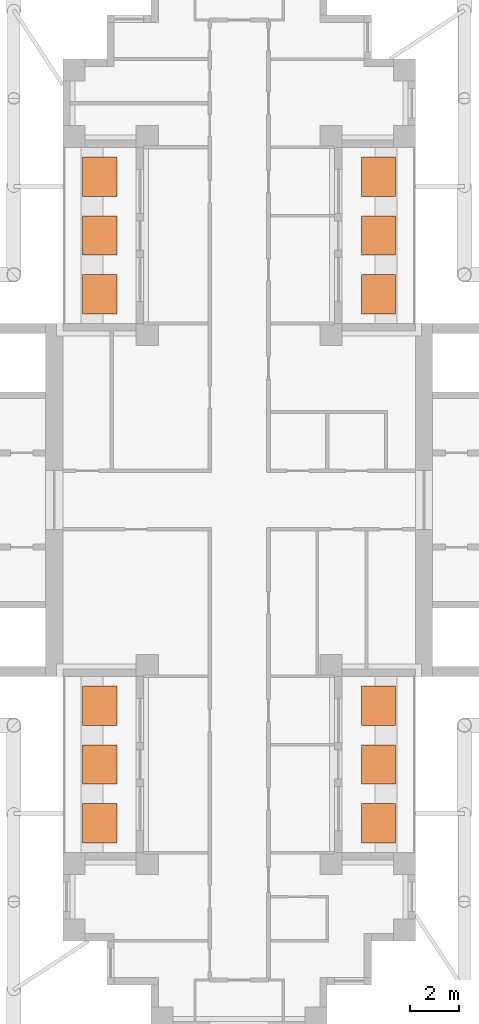
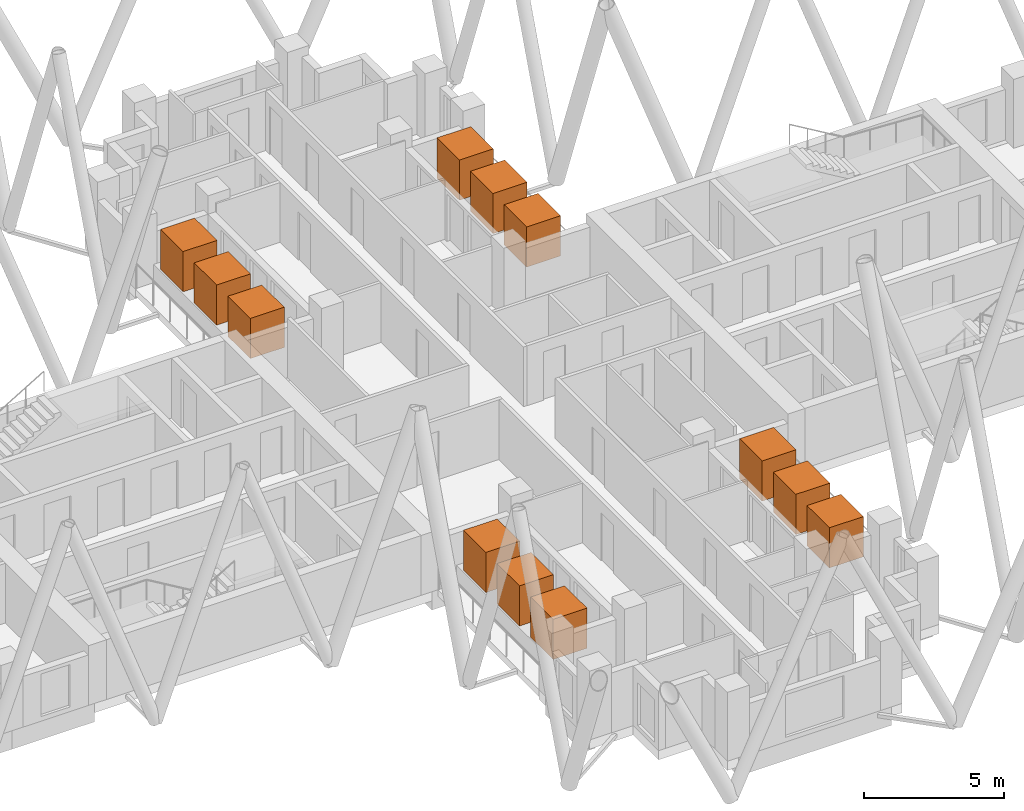
# One storey, part 12 of 12: 12 geographic elements.
"""IFC4 building model written with IfcOpenShell, lengths in metres."""

from ifc_helpers import new_model, si_unit, direction, frame, origin, origin_2d, place, context, subcontext, project, spatial, rectangle, extrude, material, element, save


model = new_model("IFC4")

# Units and contexts
model_context = context("Model", 3, precision=1e-05, world=origin(), true_north=direction((0.0, 1.0)))
body_context = subcontext(model_context, "Body", "Model", "MODEL_VIEW")
ifc_project = project(units=[si_unit("LENGTHUNIT", "METRE"), si_unit("AREAUNIT", "SQUARE_METRE"), si_unit("VOLUMEUNIT", "CUBIC_METRE"), si_unit("PLANEANGLEUNIT", "RADIAN"), si_unit("MASSUNIT", "GRAM", prefix="KILO")], contexts=[model_context])

# Site, building, storey
site_placement = place(None, origin())
site = spatial("IfcSite", under=ifc_project, at=site_placement, CompositionType="ELEMENT")
building_placement = place(site_placement, origin())
building = spatial("IfcBuilding", under=site, at=building_placement, Name="Fustian Cross Tower", CompositionType="ELEMENT")
storey_placement = place(building_placement, frame((0.0, 0.0, 188.699951171875)))
storey = spatial("IfcBuildingStorey", under=building, at=storey_placement, Name="L59", CompositionType="ELEMENT", Elevation=188.699951171875)

# Geographic elements
ifc_material = material(Name="Evergreen foliage")
for number, where, z_axis, x_axis, name in (
    (1, (5.68994140625, 8.39990234375, 0.800048828125), (0.0, 0.0, 1.0), (1.0, 0.0, 0.0), "TREE field maple"),
    (2, (5.68994140625, 10.800048828125, 0.800048828125), (0.0, 0.0, 1.0), (1.0, 0.0, 0.0), "TREE field maple"),
    (3, (5.68994140625, 13.199951171875, 0.800048828125), (0.0, 0.0, 1.0), (1.0, 0.0, 0.0), "TREE field maple"),
    (4, (-5.68994140625, 8.39990234375, 0.800048828125), (0.0, 0.0, 1.0), (1.0, 0.0, 0.0), "TREE field maple"),
    (5, (-5.68994140625, 10.800048828125, 0.800048828125), (0.0, 0.0, 1.0), (1.0, 0.0, 0.0), "TREE field maple"),
    (6, (-5.68994140625, 13.199951171875, 0.800048828125), (0.0, 0.0, 1.0), (1.0, 0.0, 0.0), "TREE field maple"),
    (7, (5.68994140625, -13.199951171875, 0.800048828125), (0.0, 0.0, 1.0), (1.0, 0.0, 0.0), "TREE field maple"),
    (8, (5.68994140625, -10.800048828125, 0.800048828125), (0.0, 0.0, 1.0), (1.0, 0.0, 0.0), "TREE field maple"),
    (9, (5.68994140625, -8.39990234375, 0.800048828125), (0.0, 0.0, 1.0), (1.0, 0.0, 0.0), "TREE field maple"),
    (10, (-5.68994140625, -13.199951171875, 0.800048828125), (0.0, 0.0, 1.0), (1.0, 0.0, 0.0), "TREE field maple"),
    (11, (-5.68994140625, -10.800048828125, 0.800048828125), (0.0, 0.0, 1.0), (1.0, 0.0, 0.0), "TREE field maple"),
    (12, (-5.68994140625, -8.39990234375, 0.800048828125), (0.0, 0.0, 1.0), (1.0, 0.0, 0.0), "TREE field maple"),
):
    element("IfcGeographicElement", number, at=place(storey_placement, frame(where, z_axis=z_axis, x_axis=x_axis)), inside=storey, material=ifc_material, Name=name, ObjectType="VEGETATION", PredefinedType="USERDEFINED", context=body_context, shape_type="SweptSolid", body=[
        extrude(rectangle(XDim=1.39990234375, YDim=1.60009765625, at=origin_2d()), origin(), (0.0, 0.0, 1.0), 1.75),
    ])

save(model, "model.ifc")
